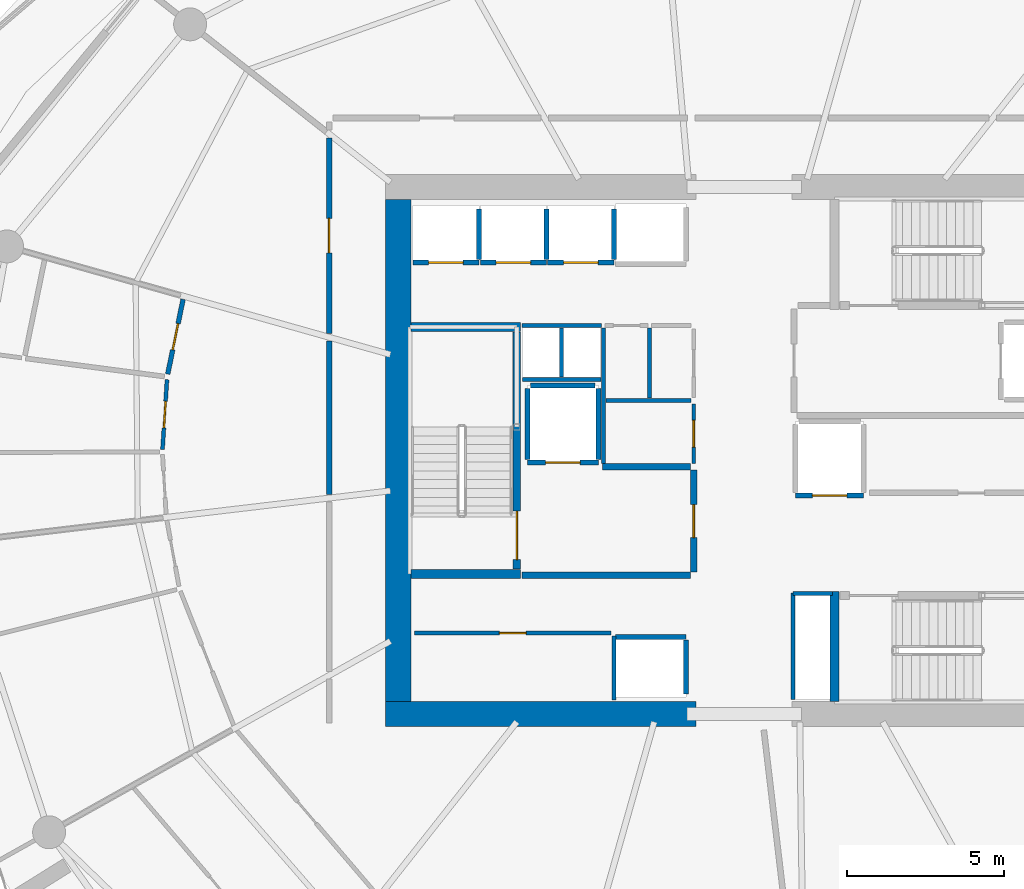
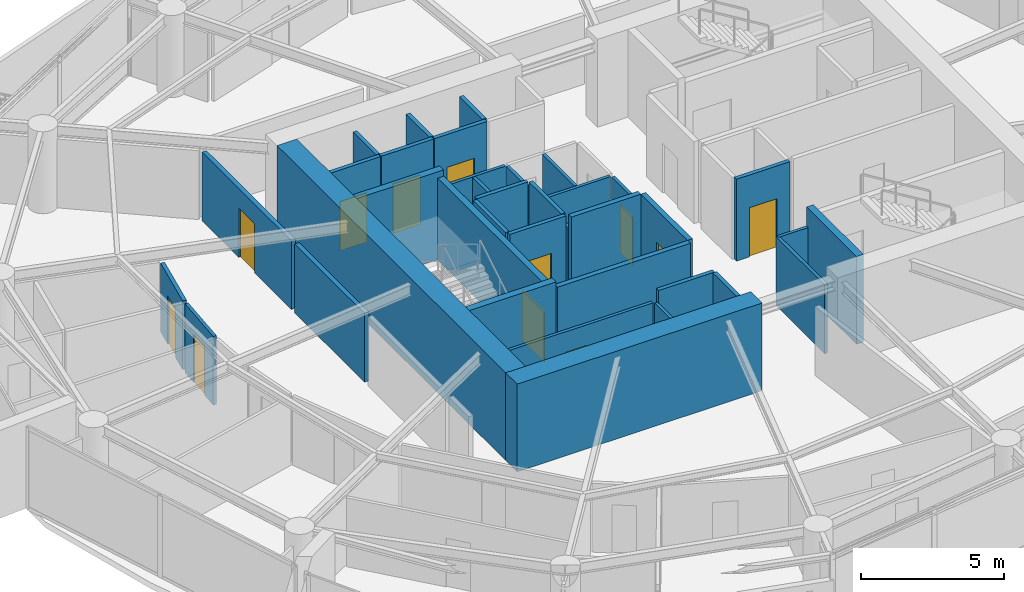
# One storey, part 12 of 20: 37 walls, 12 doors, 12 openings.
"""IFC4 building model written with IfcOpenShell, lengths in metres."""

import ifcopenshell
import ifcopenshell.guid

model = None  # the IFC model being written
_history = None  # IfcOwnerHistory: only IFC2X3 demands one
_inside = {}  # id of a spatial element -> (the spatial element, [elements in it])
_under = {}  # id of a project, library or spatial element -> (it, [spatial elements below it])
_declared = {}  # id of a project -> (the project, [libraries it declares])
_typed = {}  # id of a type object -> (the type object, [elements of that type])
_made_of = {}  # id of a material, layer set ... -> (it, [elements and type objects made of it])


def new_model(schema):
    """Start an empty IFC model of exactly this schema.

    Asked for "IFC4X3", IfcOpenShell would pick the latest addendum, in which some entities
    have other attributes; the version numbers below select the first issue.
    IFC2X3 requires an IfcOwnerHistory on every rooted entity: one is made here for all.
    """
    global model, _history
    if schema == "IFC4X3":
        model = ifcopenshell.file(schema_version=(4, 3, 0, 0))
    else:
        model = ifcopenshell.file(schema=schema)
    _inside.clear()
    _under.clear()
    _declared.clear()
    _typed.clear()
    _made_of.clear()
    _history = None
    if model.schema == "IFC2X3":
        org = make("IfcOrganization", Name="unknown")
        user = make(
            "IfcPersonAndOrganization",
            ThePerson=make("IfcPerson", FamilyName="unknown"),
            TheOrganization=org,
        )
        app = make(
            "IfcApplication",
            ApplicationDeveloper=org,
            Version="unknown",
            ApplicationFullName="unknown",
            ApplicationIdentifier="unknown",
        )
        _history = make(
            "IfcOwnerHistory",
            OwningUser=user,
            OwningApplication=app,
            ChangeAction="ADDED",
            CreationDate=0,
        )
    return model


def make(cls, **values):
    """One entity of the class cls with the attributes given. An attribute that is None is left unset."""
    return model.create_entity(
        cls, **{name: value for name, value in values.items() if value is not None}
    )


def rooted(cls, **values):
    """An entity with a GlobalId (a new one), such as an element, a storey or a relation."""
    return make(cls, GlobalId=ifcopenshell.guid.new(), OwnerHistory=_history, **values)


def si_unit(unit_type, name, prefix=None):
    """IfcSIUnit, for example si_unit("LENGTHUNIT", "METRE", prefix="MILLI")."""
    return make("IfcSIUnit", UnitType=unit_type, Prefix=prefix, Name=name)


def assignment(units):
    """IfcUnitAssignment: the units of a project."""
    return None if units is None else make("IfcUnitAssignment", Units=units)


def point(xyz):
    """IfcCartesianPoint."""
    return None if xyz is None else make("IfcCartesianPoint", Coordinates=xyz)


def direction(xyz):
    """IfcDirection."""
    return None if xyz is None else make("IfcDirection", DirectionRatios=xyz)


def frame(location, z_axis=None, x_axis=None):
    """IfcAxis2Placement3D, a coordinate frame: its origin and axes. An axis left out is left unset."""
    return make(
        "IfcAxis2Placement3D",
        Location=point(location),
        Axis=direction(z_axis),
        RefDirection=direction(x_axis),
    )


def frame_2d(location, x_axis=None):
    """IfcAxis2Placement2D, a coordinate frame in the plane: its origin and x axis."""
    return make(
        "IfcAxis2Placement2D", Location=point(location), RefDirection=direction(x_axis)
    )


def origin():
    """The frame at (0, 0, 0) with its axes left unset."""
    return frame((0.0, 0.0, 0.0))


def place(relative_to, where):
    """IfcLocalPlacement: puts the frame where relative to a parent placement (None: the world)."""
    return make(
        "IfcLocalPlacement", PlacementRelTo=relative_to, RelativePlacement=where
    )


def context(
    kind, dimensions, precision=None, world=None, true_north=None, identifier=None
):
    """IfcGeometricRepresentationContext, for example the 3D "Model" context."""
    return make(
        "IfcGeometricRepresentationContext",
        ContextIdentifier=identifier,
        ContextType=kind,
        CoordinateSpaceDimension=dimensions,
        Precision=precision,
        WorldCoordinateSystem=world,
        TrueNorth=true_north,
    )


def subcontext(parent, identifier, kind, view, scale=None):
    """IfcGeometricRepresentationSubContext, for example "Body" below "Model"."""
    return make(
        "IfcGeometricRepresentationSubContext",
        ContextIdentifier=identifier,
        ContextType=kind,
        ParentContext=parent,
        TargetScale=scale,
        TargetView=view,
    )


def project(units=None, contexts=None):
    """IfcProject with its units and contexts."""
    return rooted(
        "IfcProject",
        Name="project",
        RepresentationContexts=contexts,
        UnitsInContext=assignment(units),
    )


def spatial(cls, under=None, at=None, **own):
    """A site, building, storey or space (cls), placed at a placement, below another one or the project."""
    s = rooted(cls, ObjectPlacement=at, **own)
    if under is not None:
        _under.setdefault(under.id(), (under, []))[1].append(s)
    return s


def profile(cls, at=None, kind="AREA", **sizes):
    """A parametric profile (cls). Its sizes go by their IFC names, for example OverallWidth=200.0."""
    return make(cls, ProfileType=kind, Position=at, **sizes)


def rectangle(**sizes):
    """IfcRectangleProfileDef."""
    return profile("IfcRectangleProfileDef", **sizes)


def extrude(swept, where, along, depth):
    """IfcExtrudedAreaSolid: the profile swept, set in the frame where, extruded along a direction by depth."""
    return make(
        "IfcExtrudedAreaSolid",
        SweptArea=swept,
        Position=where,
        ExtrudedDirection=direction(along),
        Depth=depth,
    )


def shape(context_of_items, identifier, shape_type, items):
    """IfcShapeRepresentation: the items that make up one representation, for example the "Body"."""
    return make(
        "IfcShapeRepresentation",
        ContextOfItems=context_of_items,
        RepresentationIdentifier=identifier,
        RepresentationType=shape_type,
        Items=items,
    )


def material(Name=None, Category=None):
    """IfcMaterial."""
    return make("IfcMaterial", Name=Name, Category=Category)


def layer(
    of_material, thickness, ventilated=None, Name=None, Category=None, Priority=None
):
    """IfcMaterialLayer: one layer of a wall or slab, of a material (None: an air gap)."""
    return make(
        "IfcMaterialLayer",
        Material=of_material,
        LayerThickness=thickness,
        IsVentilated=ventilated,
        Name=Name,
        Category=Category,
        Priority=Priority,
    )


def layer_set(layers, Name=None):
    """IfcMaterialLayerSet."""
    return make("IfcMaterialLayerSet", MaterialLayers=layers, LayerSetName=Name)


def made_of(thing, what):
    """Note that an element or type object is made of a material, layer set ...; save() writes the relation."""
    if what is not None:
        _made_of.setdefault(what.id(), (what, []))[1].append(thing)
    return thing


def type_object(cls, material=None, **own):
    """A type object (cls), such as IfcWallType, which elements share."""
    return made_of(rooted(cls, **own), material)


def element(
    cls,
    number,
    at=None,
    inside=None,
    cuts=None,
    type_object=None,
    material=None,
    context=None,
    identifier="Body",
    shape_type=None,
    held_by="IfcProductDefinitionShape",
    body=None,
    shapes=None,
    **own,
):
    """One element of the class cls, such as IfcWall. Its Tag is "e" and its number.

    at: its placement. inside: the storey or other place that contains it. cuts: it is an
    opening in that element (IfcRelVoidsElement). A single representation is given by context,
    identifier, shape_type and body (its items); several are given by shapes. held_by: the class
    of the entity that holds the representations. save() writes the other relations.
    """
    e = rooted(cls, Tag="e%d" % number, ObjectPlacement=at, **own)
    if body is not None:
        shapes = [shape(context, identifier, shape_type, body)]
    if shapes is not None:
        e.Representation = make(held_by, Representations=shapes)
    if inside is not None:
        _inside.setdefault(inside.id(), (inside, []))[1].append(e)
    if cuts is not None:
        rooted(
            "IfcRelVoidsElement", RelatingBuildingElement=cuts, RelatedOpeningElement=e
        )
    if type_object is not None:
        _typed.setdefault(type_object.id(), (type_object, []))[1].append(e)
    return made_of(e, material)


def fill(opening, filler):
    """IfcRelFillsElement: the door or window that sits in an opening."""
    return rooted(
        "IfcRelFillsElement",
        RelatingOpeningElement=opening,
        RelatedBuildingElement=filler,
    )


def aggregate(whole, parts):
    """IfcRelAggregates: a whole, such as a stair, and the parts it consists of."""
    return rooted("IfcRelAggregates", RelatingObject=whole, RelatedObjects=parts)


def save(model, path):
    """Write the relations noted so far, then the file.

    IfcRelAggregates (storeys below a building ...), IfcRelContainedInSpatialStructure (elements
    in a storey), IfcRelDefinesByType, IfcRelAssociatesMaterial and IfcRelDeclares: one each for
    every whole, place, type object, material and project.
    """
    for whole, parts in _under.values():
        aggregate(whole, parts)
    for where, things in _inside.values():
        rooted(
            "IfcRelContainedInSpatialStructure",
            RelatedElements=things,
            RelatingStructure=where,
        )
    for kind, things in _typed.values():
        rooted("IfcRelDefinesByType", RelatedObjects=things, RelatingType=kind)
    for what, things in _made_of.values():
        rooted("IfcRelAssociatesMaterial", RelatedObjects=things, RelatingMaterial=what)
    for by, libraries in _declared.values():
        rooted("IfcRelDeclares", RelatingContext=by, RelatedDefinitions=libraries)
    model.write(path)


model = new_model("IFC4")

# Units and contexts
model_context = context("Model", 3, precision=1e-05, world=origin(), true_north=direction((0.0, 1.0)))
body_context = subcontext(model_context, "Body", "Model", "MODEL_VIEW")
ifc_project = project(units=[si_unit("LENGTHUNIT", "METRE"), si_unit("AREAUNIT", "SQUARE_METRE"), si_unit("VOLUMEUNIT", "CUBIC_METRE"), si_unit("PLANEANGLEUNIT", "RADIAN"), si_unit("MASSUNIT", "GRAM", prefix="KILO")], contexts=[model_context])

# Site, building, storey
site_placement = place(None, origin())
site = spatial("IfcSite", under=ifc_project, at=site_placement, CompositionType="ELEMENT")
building_placement = place(site_placement, origin())
building = spatial("IfcBuilding", under=site, at=building_placement, Name="Kazma Halo Residences", CompositionType="ELEMENT")
storey_placement = place(building_placement, frame((0.0, 0.0, 146.550048828125)))
storey = spatial("IfcBuildingStorey", under=building, at=storey_placement, Name="L36", CompositionType="ELEMENT", Elevation=146.550048828125)

# Walls
ifc_material_1 = material(Name="Concrete C80/95", Category="concrete")
ifc_layer_1 = layer(ifc_material_1, 0.800048828125)
ifc_layer_set_1 = layer_set([ifc_layer_1], Name="Concrete C80/95")
wall_type_1 = type_object("IfcWallType", Name="WL-CORE-800", PredefinedType="SHEAR", material=ifc_layer_set_1)
wall_1_placement = place(storey_placement, frame((37.0, 33.60009765625, 0.0), z_axis=(0.0, 0.0, 1.0), x_axis=(1.0, 0.0, 0.0)))
element("IfcWall", 1, at=wall_1_placement, inside=storey, type_object=wall_type_1, Name="L36 central core shear wall SW", PredefinedType="SHEAR", context=body_context, shape_type="SweptSolid", body=[
    extrude(rectangle(XDim=9.89990234375, YDim=0.800048828125, at=frame_2d((4.949951171875, 0.0))), origin(), (0.0, 0.0, 1.0), 3.75),
])
wall_2_placement = place(storey_placement, frame((37.39990234375, 34.0, 0.0), z_axis=(0.0, 0.0, 1.0), x_axis=(0.0, 1.0, 0.0)))
element("IfcWall", 2, at=wall_2_placement, inside=storey, type_object=wall_type_1, Name="L36 central core shear wall W", PredefinedType="SHEAR", context=body_context, shape_type="SweptSolid", body=[
    extrude(rectangle(XDim=16.0, YDim=0.800048828125, at=frame_2d((8.0, 0.0))), origin(), (0.0, 0.0, 1.0), 3.75),
])
ifc_material_2 = material(Name="Concrete C60/75", Category="concrete")
ifc_layer_2 = layer(ifc_material_2, 0.280029296875)
ifc_layer_set_2 = layer_set([ifc_layer_2], Name="Concrete C60/75")
wall_type_2 = type_object("IfcWallType", Name="WL-CORE-ST-280", PredefinedType="SHEAR", material=ifc_layer_set_2)
for number, where, z_axis, x_axis, name in (
    (3, (37.800048828125, 38.06005859375, 0.0), (0.0, 0.0, 1.0), (1.0, 0.0, 0.0), "L36 stairwell bearing wall ST01-S"),
    (4, (37.800048828125, 45.93994140625, 0.0), (0.0, 0.0, 1.0), (1.0, 0.0, 0.0), "L36 stairwell bearing wall ST01-N"),
    (5, (51.31005859375, 34.0, 0.0), (0.0, 0.0, 1.0), (0.0, 1.0, 0.0), "L36 stairwell bearing wall ST03-W"),
):
    element("IfcWall", number, at=place(storey_placement, frame(where, z_axis=z_axis, x_axis=x_axis)), inside=storey, type_object=wall_type_2, Name=name, PredefinedType="SHEAR", context=body_context, shape_type="SweptSolid", body=[
        extrude(rectangle(XDim=3.5, YDim=0.280029296875, at=frame_2d((1.75, 0.0))), origin(), (0.0, 0.0, 1.0), 3.75),
    ])

# Wall, opening, door
ifc_material_3 = material(Name="Acoustic Twin-Stud Gypsum")
ifc_layer_3 = layer(ifc_material_3, 0.179931640625)
ifc_layer_set_3 = layer_set([ifc_layer_3], Name="Acoustic Twin-Stud Gypsum")
wall_type_3 = type_object("IfcWallType", Name="WL-DEM-180", PredefinedType="PARTITIONING", material=ifc_layer_set_3)
wall_3_placement = place(storey_placement, frame((35.199951171875, 51.970703125, 0.0), z_axis=(0.0, 0.0, 1.0), x_axis=(0.0, -1.0, 0.0)))
wall_3 = element("IfcWall", 6, at=wall_3_placement, inside=storey, type_object=wall_type_3, Name="L36 Apartment 1 entrance corridor wall", PredefinedType="PARTITIONING", context=body_context, shape_type="SweptSolid", body=[
    extrude(rectangle(XDim=6.24072265625, YDim=0.179931640625, at=frame_2d((3.120361328125, 0.0))), origin(), (0.0, 0.0, 1.0), 2.93994140625),
])
opening_1_placement = place(wall_3_placement, frame((2.5703125, 0.0, 0.0)))
opening_1 = element("IfcOpeningElement", 7, at=opening_1_placement, cuts=wall_3, Name="Opening DA-1100", PredefinedType="OPENING", context=body_context, shape_type="SweptSolid", body=[
    extrude(rectangle(XDim=1.10009765625, YDim=2.10009765625, at=frame_2d((0.550048828125, 1.050048828125))), frame((0.0, 0.099853515625, 0.0), z_axis=(0.0, -1.0, 0.0), x_axis=(1.0, 0.0, 0.0)), (0.0, 0.0, 1.0), 0.199951171875),
])
ifc_material_4 = material(Name="Acoustic Walnut Fire Leaf")
door_type_1 = type_object("IfcDoorType", Name="DR-FD60-1100", OperationType="NOTDEFINED", PredefinedType="DOOR", material=ifc_material_4)
door_1_placement = place(opening_1_placement, origin())
door_1 = element("IfcDoor", 8, at=door_1_placement, inside=storey, type_object=door_type_1, Name="L36 Apartment 1 entrance fire door", OperationType="SINGLE_SWING_RIGHT", OverallHeight=2.10009765625, OverallWidth=1.10009765625, PredefinedType="DOOR", context=body_context, shape_type="SweptSolid", body=[
    extrude(rectangle(XDim=1.10009765625, YDim=2.10009765625, at=frame_2d((0.550048828125, 1.050048828125))), frame((0.0, 0.02490234375, 0.0), z_axis=(0.0, -1.0, 0.0), x_axis=(1.0, 0.0, 0.0)), (0.0, 0.0, 1.0), 0.050048828125),
])
fill(opening_1, door_1)

# Wall
wall_4_placement = place(storey_placement, frame((35.199951171875, 45.489990234375, 0.0), z_axis=(0.0, 0.0, 1.0), x_axis=(0.0, -1.0, 0.0)))
element("IfcWall", 9, at=wall_4_placement, inside=storey, type_object=wall_type_3, Name="L36 Apartment 1 inner wall 6", PredefinedType="PARTITIONING", context=body_context, shape_type="SweptSolid", body=[
    extrude(rectangle(XDim=4.885009765625, YDim=0.179931640625, at=frame_2d((2.4423828125, 0.0))), origin(), (0.0, 0.0, 1.0), 2.93994140625),
])

# Wall, opening, door
ifc_material_5 = material(Name="Fire-Rated Blockwork Masonry", Category="masonry")
ifc_layer_4 = layer(ifc_material_5, 0.199951171875)
ifc_layer_set_4 = layer_set([ifc_layer_4], Name="Fire-Rated Blockwork Masonry")
wall_type_4 = type_object("IfcWallType", Name="WL-FLB-200", PredefinedType="PARTITIONING", material=ifc_layer_set_4)
wall_5_placement = place(storey_placement, frame((39.97509765625, 47.9951171875, 0.0), z_axis=(0.0, 0.0, 1.0), x_axis=(-1.0, 0.0, 0.0)))
wall_5 = element("IfcWall", 10, at=wall_5_placement, inside=storey, type_object=wall_type_4, Name="L36 lift shaft PM-01 front wall", PredefinedType="PARTITIONING", context=body_context, shape_type="SweptSolid", body=[
    extrude(rectangle(XDim=2.110107421875, YDim=0.159912109375, at=frame_2d((1.05517578125, 0.0))), origin(), (0.0, 0.0, 1.0), 3.5),
])
opening_2_placement = place(wall_5_placement, frame((0.5048828125, 0.0, 0.0)))
opening_2 = element("IfcOpeningElement", 11, at=opening_2_placement, cuts=wall_5, Name="Opening LD-PM-01", PredefinedType="OPENING", context=body_context, shape_type="SweptSolid", body=[
    extrude(rectangle(XDim=1.10009765625, YDim=2.10009765625, at=frame_2d((0.550048828125, 1.050048828125))), frame((0.0, 0.08984375, 0.0), z_axis=(0.0, -1.0, 0.0), x_axis=(1.0, 0.0, 0.0)), (0.0, 0.0, 1.0), 0.179931640625),
])
ifc_material_6 = material(Name="Stainless Steel Fire-Rated", Category="steel")
door_type_2 = type_object("IfcDoorType", Name="DR-LIFT-SLD-1100", OperationType="DOUBLE_DOOR_SLIDING", PredefinedType="DOOR", material=ifc_material_6)
door_2_placement = place(opening_2_placement, origin())
door_2 = element("IfcDoor", 12, at=door_2_placement, inside=storey, type_object=door_type_2, Name="L36 lift PM-01 sliding landing door", OperationType="DOUBLE_DOOR_SLIDING", OverallHeight=2.10009765625, OverallWidth=1.10009765625, PredefinedType="DOOR", context=body_context, shape_type="SweptSolid", body=[
    extrude(rectangle(XDim=1.10009765625, YDim=2.10009765625, at=frame_2d((0.550048828125, 1.050048828125))), frame((0.0, 0.02490234375, 0.0), z_axis=(0.0, -1.0, 0.0), x_axis=(1.0, 0.0, 0.0)), (0.0, 0.0, 1.0), 0.050048828125),
])
fill(opening_2, door_2)

# Wall
wall_6_placement = place(storey_placement, frame((39.97509765625, 48.094970703125, 0.0), z_axis=(0.0, 0.0, 1.0), x_axis=(0.0, 1.0, 0.0)))
element("IfcWall", 13, at=wall_6_placement, inside=storey, type_object=wall_type_4, Name="L36 lift shaft PM-01 side wall E", PredefinedType="PARTITIONING", context=body_context, shape_type="SweptSolid", body=[
    extrude(rectangle(XDim=1.610107421875, YDim=0.159912109375, at=frame_2d((0.80517578125, 0.0))), origin(), (0.0, 0.0, 1.0), 3.5),
])

# Wall, opening, door
wall_7_placement = place(storey_placement, frame((42.125, 47.9951171875, 0.0), z_axis=(0.0, 0.0, 1.0), x_axis=(-1.0, 0.0, 0.0)))
wall_7 = element("IfcWall", 14, at=wall_7_placement, inside=storey, type_object=wall_type_4, Name="L36 lift shaft PM-02 front wall", PredefinedType="PARTITIONING", context=body_context, shape_type="SweptSolid", body=[
    extrude(rectangle(XDim=2.110107421875, YDim=0.159912109375, at=frame_2d((1.05517578125, 0.0))), origin(), (0.0, 0.0, 1.0), 3.5),
])
opening_3_placement = place(wall_7_placement, frame((0.5048828125, 0.0, 0.0)))
opening_3 = element("IfcOpeningElement", 15, at=opening_3_placement, cuts=wall_7, Name="Opening LD-PM-02", PredefinedType="OPENING", context=body_context, shape_type="SweptSolid", body=[
    extrude(rectangle(XDim=1.10009765625, YDim=2.10009765625, at=frame_2d((0.550048828125, 1.050048828125))), frame((0.0, 0.08984375, 0.0), z_axis=(0.0, -1.0, 0.0), x_axis=(1.0, 0.0, 0.0)), (0.0, 0.0, 1.0), 0.179931640625),
])
door_3_placement = place(opening_3_placement, origin())
door_3 = element("IfcDoor", 16, at=door_3_placement, inside=storey, type_object=door_type_2, Name="L36 lift PM-02 sliding landing door", OperationType="DOUBLE_DOOR_SLIDING", OverallHeight=2.10009765625, OverallWidth=1.10009765625, PredefinedType="DOOR", context=body_context, shape_type="SweptSolid", body=[
    extrude(rectangle(XDim=1.10009765625, YDim=2.10009765625, at=frame_2d((0.550048828125, 1.050048828125))), frame((0.0, 0.02490234375, 0.0), z_axis=(0.0, -1.0, 0.0), x_axis=(1.0, 0.0, 0.0)), (0.0, 0.0, 1.0), 0.050048828125),
])
fill(opening_3, door_3)

# Wall
wall_8_placement = place(storey_placement, frame((42.125, 48.094970703125, 0.0), z_axis=(0.0, 0.0, 1.0), x_axis=(0.0, 1.0, 0.0)))
element("IfcWall", 17, at=wall_8_placement, inside=storey, type_object=wall_type_4, Name="L36 lift shaft PM-02 side wall E", PredefinedType="PARTITIONING", context=body_context, shape_type="SweptSolid", body=[
    extrude(rectangle(XDim=1.610107421875, YDim=0.159912109375, at=frame_2d((0.80517578125, 0.0))), origin(), (0.0, 0.0, 1.0), 3.5),
])

# Wall, opening, door
wall_9_placement = place(storey_placement, frame((44.27490234375, 47.9951171875, 0.0), z_axis=(0.0, 0.0, 1.0), x_axis=(-1.0, 0.0, 0.0)))
wall_9 = element("IfcWall", 18, at=wall_9_placement, inside=storey, type_object=wall_type_4, Name="L36 lift shaft PM-03 front wall", PredefinedType="PARTITIONING", context=body_context, shape_type="SweptSolid", body=[
    extrude(rectangle(XDim=2.10986328125, YDim=0.159912109375, at=frame_2d((1.054931640625, 0.0))), origin(), (0.0, 0.0, 1.0), 3.5),
])
opening_4_placement = place(wall_9_placement, frame((0.5048828125, 0.0, 0.0)))
opening_4 = element("IfcOpeningElement", 19, at=opening_4_placement, cuts=wall_9, Name="Opening LD-PM-03", PredefinedType="OPENING", context=body_context, shape_type="SweptSolid", body=[
    extrude(rectangle(XDim=1.10009765625, YDim=2.10009765625, at=frame_2d((0.550048828125, 1.050048828125))), frame((0.0, 0.08984375, 0.0), z_axis=(0.0, -1.0, 0.0), x_axis=(1.0, 0.0, 0.0)), (0.0, 0.0, 1.0), 0.179931640625),
])
door_4_placement = place(opening_4_placement, origin())
door_4 = element("IfcDoor", 20, at=door_4_placement, inside=storey, type_object=door_type_2, Name="L36 lift PM-03 sliding landing door", OperationType="DOUBLE_DOOR_SLIDING", OverallHeight=2.10009765625, OverallWidth=1.10009765625, PredefinedType="DOOR", context=body_context, shape_type="SweptSolid", body=[
    extrude(rectangle(XDim=1.10009765625, YDim=2.10009765625, at=frame_2d((0.550048828125, 1.050048828125))), frame((0.0, 0.02490234375, 0.0), z_axis=(0.0, -1.0, 0.0), x_axis=(1.0, 0.0, 0.0)), (0.0, 0.0, 1.0), 0.050048828125),
])
fill(opening_4, door_4)

# Walls
wall_10_placement = place(storey_placement, frame((44.27490234375, 48.094970703125, 0.0), z_axis=(0.0, 0.0, 1.0), x_axis=(0.0, 1.0, 0.0)))
element("IfcWall", 21, at=wall_10_placement, inside=storey, type_object=wall_type_4, Name="L36 lift shaft PM-03 side wall E", PredefinedType="PARTITIONING", context=body_context, shape_type="SweptSolid", body=[
    extrude(rectangle(XDim=1.610107421875, YDim=0.159912109375, at=frame_2d((0.80517578125, 0.0))), origin(), (0.0, 0.0, 1.0), 3.5),
])
wall_11_placement = place(storey_placement, frame((44.320068359375, 36.054931640625, 0.0), z_axis=(0.0, 0.0, 1.0), x_axis=(1.0, 0.0, 0.0)))
element("IfcWall", 22, at=wall_11_placement, inside=storey, type_object=wall_type_4, Name="L36 lift shaft PX-02 front wall", PredefinedType="PARTITIONING", context=body_context, shape_type="SweptSolid", body=[
    extrude(rectangle(XDim=2.260009765625, YDim=0.159912109375, at=frame_2d((1.1298828125, 0.0))), origin(), (0.0, 0.0, 1.0), 3.5),
])
wall_12_placement = place(storey_placement, frame((46.580078125, 34.2451171875, 0.0), z_axis=(0.0, 0.0, 1.0), x_axis=(0.0, 1.0, 0.0)))
element("IfcWall", 23, at=wall_12_placement, inside=storey, type_object=wall_type_4, Name="L36 lift shaft PX-02 side wall E", PredefinedType="PARTITIONING", context=body_context, shape_type="SweptSolid", body=[
    extrude(rectangle(XDim=1.7099609375, YDim=0.159912109375, at=frame_2d((0.85498046875, 0.0))), origin(), (0.0, 0.0, 1.0), 3.5),
])

# Wall, opening, door
wall_13_placement = place(storey_placement, frame((43.780029296875, 41.6201171875, 0.0), z_axis=(0.0, 0.0, 1.0), x_axis=(-1.0, 0.0, 0.0)))
wall_13 = element("IfcWall", 24, at=wall_13_placement, inside=storey, type_object=wall_type_4, Name="L36 lift shaft FL-01 front wall", PredefinedType="PARTITIONING", context=body_context, shape_type="SweptSolid", body=[
    extrude(rectangle(XDim=2.260009765625, YDim=0.159912109375, at=frame_2d((1.1298828125, 0.0))), origin(), (0.0, 0.0, 1.0), 3.5),
])
opening_5_placement = place(wall_13_placement, frame((0.580078125, 0.0, 0.0)))
opening_5 = element("IfcOpeningElement", 25, at=opening_5_placement, cuts=wall_13, Name="Opening LD-FL-01", PredefinedType="OPENING", context=body_context, shape_type="SweptSolid", body=[
    extrude(rectangle(XDim=1.10009765625, YDim=2.10009765625, at=frame_2d((0.550048828125, 1.050048828125))), frame((0.0, 0.08984375, 0.0), z_axis=(0.0, -1.0, 0.0), x_axis=(1.0, 0.0, 0.0)), (0.0, 0.0, 1.0), 0.179931640625),
])
door_5_placement = place(opening_5_placement, origin())
door_5 = element("IfcDoor", 26, at=door_5_placement, inside=storey, type_object=door_type_2, Name="L36 lift FL-01 sliding landing door", OperationType="DOUBLE_DOOR_SLIDING", OverallHeight=2.10009765625, OverallWidth=1.10009765625, PredefinedType="DOOR", context=body_context, shape_type="SweptSolid", body=[
    extrude(rectangle(XDim=1.10009765625, YDim=2.10009765625, at=frame_2d((0.550048828125, 1.050048828125))), frame((0.0, 0.02490234375, 0.0), z_axis=(0.0, -1.0, 0.0), x_axis=(1.0, 0.0, 0.0)), (0.0, 0.0, 1.0), 0.050048828125),
])
fill(opening_5, door_5)

# Walls
for number, where, z_axis, x_axis, name in (
    (27, (43.780029296875, 41.719970703125, 0.0), (0.0, 0.0, 1.0), (0.0, 1.0, 0.0), "L36 lift shaft FL-01 side wall E"),
    (28, (41.52001953125, 41.719970703125, 0.0), (0.0, 0.0, 1.0), (0.0, 1.0, 0.0), "L36 lift shaft FL-01 side wall W"),
):
    element("IfcWall", number, at=place(storey_placement, frame(where, z_axis=z_axis, x_axis=x_axis)), inside=storey, type_object=wall_type_4, Name=name, PredefinedType="PARTITIONING", context=body_context, shape_type="SweptSolid", body=[
        extrude(rectangle(XDim=2.260009765625, YDim=0.159912109375, at=frame_2d((1.1298828125, 0.0))), origin(), (0.0, 0.0, 1.0), 3.5),
    ])
wall_14_placement = place(storey_placement, frame((41.6201171875, 44.080078125, 0.0), z_axis=(0.0, 0.0, 1.0), x_axis=(1.0, 0.0, 0.0)))
element("IfcWall", 29, at=wall_14_placement, inside=storey, type_object=wall_type_4, Name="L36 lift shaft FL-01 side wall N", PredefinedType="PARTITIONING", context=body_context, shape_type="SweptSolid", body=[
    extrude(rectangle(XDim=2.059814453125, YDim=0.159912109375, at=frame_2d((1.02978515625, 0.0))), origin(), (0.0, 0.0, 1.0), 3.5),
])

# Wall, opening, door
wall_15_placement = place(storey_placement, frame((52.22998046875, 40.570068359375, 0.0), z_axis=(0.0, 0.0, 1.0), x_axis=(-1.0, 0.0, 0.0)))
wall_15 = element("IfcWall", 30, at=wall_15_placement, inside=storey, type_object=wall_type_4, Name="L36 lift shaft SV-01 front wall", PredefinedType="PARTITIONING", context=body_context, shape_type="SweptSolid", body=[
    extrude(rectangle(XDim=2.159912109375, YDim=0.159912109375, at=frame_2d((1.080078125, 0.0))), origin(), (0.0, 0.0, 1.0), 3.5),
])
opening_6_placement = place(wall_15_placement, frame((0.530029296875, 0.0, 0.0)))
opening_6 = element("IfcOpeningElement", 31, at=opening_6_placement, cuts=wall_15, Name="Opening LD-SV-01", PredefinedType="OPENING", context=body_context, shape_type="SweptSolid", body=[
    extrude(rectangle(XDim=1.10009765625, YDim=2.10009765625, at=frame_2d((0.550048828125, 1.050048828125))), frame((0.0, 0.08984375, 0.0), z_axis=(0.0, -1.0, 0.0), x_axis=(1.0, 0.0, 0.0)), (0.0, 0.0, 1.0), 0.179931640625),
])
door_6_placement = place(opening_6_placement, origin())
door_6 = element("IfcDoor", 32, at=door_6_placement, inside=storey, type_object=door_type_2, Name="L36 lift SV-01 sliding landing door", OperationType="DOUBLE_DOOR_SLIDING", OverallHeight=2.10009765625, OverallWidth=1.10009765625, PredefinedType="DOOR", context=body_context, shape_type="SweptSolid", body=[
    extrude(rectangle(XDim=1.10009765625, YDim=2.10009765625, at=frame_2d((0.550048828125, 1.050048828125))), frame((0.0, 0.02490234375, 0.0), z_axis=(0.0, -1.0, 0.0), x_axis=(1.0, 0.0, 0.0)), (0.0, 0.0, 1.0), 0.050048828125),
])
fill(opening_6, door_6)

# Walls
wall_16_placement = place(storey_placement, frame((41.35009765625, 38.02001953125, 0.0), z_axis=(0.0, 0.0, 1.0), x_axis=(1.0, 0.0, 0.0)))
element("IfcWall", 33, at=wall_16_placement, inside=storey, type_object=wall_type_4, Name="L36 west firefighting lobby south smoke wall", PredefinedType="PARTITIONING", context=body_context, shape_type="SweptSolid", body=[
    extrude(rectangle(XDim=5.369873046875, YDim=0.199951171875, at=frame_2d((2.68505859375, 0.0))), origin(), (0.0, 0.0, 1.0), 3.5),
])
wall_17_placement = place(storey_placement, frame((43.919921875, 41.47998046875, 0.0), z_axis=(0.0, 0.0, 1.0), x_axis=(1.0, 0.0, 0.0)))
element("IfcWall", 34, at=wall_17_placement, inside=storey, type_object=wall_type_4, Name="L36 west firefighting lobby north smoke wall", PredefinedType="PARTITIONING", context=body_context, shape_type="SweptSolid", body=[
    extrude(rectangle(XDim=2.800048828125, YDim=0.199951171875, at=frame_2d((1.39990234375, 0.0))), origin(), (0.0, 0.0, 1.0), 3.5),
])

# Wall, opening, door
wall_18_placement = place(storey_placement, frame((46.820068359375, 38.1201171875, 0.0), z_axis=(0.0, 0.0, 1.0), x_axis=(0.0, 1.0, 0.0)))
wall_18 = element("IfcWall", 35, at=wall_18_placement, inside=storey, type_object=wall_type_4, Name="L36 west firefighting lobby smoke wall", PredefinedType="PARTITIONING", context=body_context, shape_type="SweptSolid", body=[
    extrude(rectangle(XDim=3.259765625, YDim=0.199951171875, at=frame_2d((1.6298828125, 0.0))), origin(), (0.0, 0.0, 1.0), 3.5),
])
opening_7_placement = place(wall_18_placement, frame((1.10498046875, 0.0, 0.0)))
opening_7 = element("IfcOpeningElement", 36, at=opening_7_placement, cuts=wall_18, Name="Opening D-FLW", PredefinedType="OPENING", context=body_context, shape_type="SweptSolid", body=[
    extrude(rectangle(XDim=1.050048828125, YDim=2.10009765625, at=frame_2d((0.52490234375, 1.050048828125))), frame((0.0, 0.10986328125, 0.0), z_axis=(0.0, -1.0, 0.0), x_axis=(1.0, 0.0, 0.0)), (0.0, 0.0, 1.0), 0.219970703125),
])
ifc_material_7 = material(Name="Fire-Rated Steel Leaf", Category="steel")
door_type_3 = type_object("IfcDoorType", Name="DR-FD90-1050", OperationType="NOTDEFINED", PredefinedType="DOOR", material=ifc_material_7)
door_7_placement = place(opening_7_placement, origin())
door_7 = element("IfcDoor", 37, at=door_7_placement, inside=storey, type_object=door_type_3, Name="L36 west firefighting lobby smoke door", OperationType="SINGLE_SWING_LEFT", OverallHeight=2.10009765625, OverallWidth=1.050048828125, PredefinedType="DOOR", context=body_context, shape_type="SweptSolid", body=[
    extrude(rectangle(XDim=1.050048828125, YDim=2.10009765625, at=frame_2d((0.52490234375, 1.050048828125))), frame((0.0, 0.02490234375, 0.0), z_axis=(0.0, -1.0, 0.0), x_axis=(1.0, 0.0, 0.0)), (0.0, 0.0, 1.0), 0.050048828125),
])
fill(opening_7, door_7)

# Wall
ifc_material_8 = material(Name="Gypsum Plasterboard Partition")
ifc_layer_5 = layer(ifc_material_8, 0.125)
ifc_layer_set_5 = layer_set([ifc_layer_5], Name="Gypsum Plasterboard Partition")
wall_type_5 = type_object("IfcWallType", Name="WL-PART-125", PredefinedType="PARTITIONING", material=ifc_layer_set_5)
wall_19_placement = place(storey_placement, frame((44.280029296875, 34.050048828125, 0.0), z_axis=(0.0, 0.0, 1.0), x_axis=(0.0, 1.0, 0.0)))
element("IfcWall", 38, at=wall_19_placement, inside=storey, type_object=wall_type_5, Name="L36 reclaimed south east wall", PredefinedType="PARTITIONING", context=body_context, shape_type="SweptSolid", body=[
    extrude(rectangle(XDim=2.030029296875, YDim=0.125, at=frame_2d((1.01513671875, 0.0))), origin(), (0.0, 0.0, 1.0), 2.93994140625),
])

# Wall, opening, door
wall_20_placement = place(storey_placement, frame((37.919921875, 36.179931640625, 0.0), z_axis=(0.0, 0.0, 1.0), x_axis=(1.0, 0.0, 0.0)))
wall_20 = element("IfcWall", 39, at=wall_20_placement, inside=storey, type_object=wall_type_5, Name="L36 reclaimed south front wall", PredefinedType="PARTITIONING", context=body_context, shape_type="SweptSolid", body=[
    extrude(rectangle(XDim=6.260009765625, YDim=0.125, at=frame_2d((3.1298828125, 0.0))), origin(), (0.0, 0.0, 1.0), 2.93994140625),
])
opening_8_placement = place(wall_20_placement, frame((2.705078125, 0.0, 0.0)))
opening_8 = element("IfcOpeningElement", 40, at=opening_8_placement, cuts=wall_20, Name="Opening DS-850", PredefinedType="OPENING", context=body_context, shape_type="SweptSolid", body=[
    extrude(rectangle(XDim=0.85009765625, YDim=2.06005859375, at=frame_2d((0.425048828125, 1.030029296875))), frame((0.0, 0.072509765625, 0.0), z_axis=(0.0, -1.0, 0.0), x_axis=(1.0, 0.0, 0.0)), (0.0, 0.0, 1.0), 0.14501953125),
])
ifc_material_9 = material(Name="Painted Steel Access Leaf", Category="steel")
door_type_4 = type_object("IfcDoorType", Name="DR-SVC-850", OperationType="NOTDEFINED", PredefinedType="DOOR", material=ifc_material_9)
door_8_placement = place(opening_8_placement, origin())
door_8 = element("IfcDoor", 41, at=door_8_placement, inside=storey, type_object=door_type_4, Name="L36 reclaimed south service door", OperationType="SINGLE_SWING_LEFT", OverallHeight=2.06005859375, OverallWidth=0.85009765625, PredefinedType="DOOR", context=body_context, shape_type="SweptSolid", body=[
    extrude(rectangle(XDim=0.85009765625, YDim=2.06005859375, at=frame_2d((0.425048828125, 1.030029296875))), frame((0.0, 0.02490234375, 0.0), z_axis=(0.0, -1.0, 0.0), x_axis=(1.0, 0.0, 0.0)), (0.0, 0.0, 1.0), 0.050048828125),
])
fill(opening_8, door_8)

# Walls
wall_21_placement = place(storey_placement, frame((41.360107421875, 44.260009765625, 0.0), z_axis=(0.0, 0.0, 1.0), x_axis=(1.0, 0.0, 0.0)))
element("IfcWall", 42, at=wall_21_placement, inside=storey, type_object=wall_type_5, Name="L36 core riser south wall", PredefinedType="PARTITIONING", context=body_context, shape_type="SweptSolid", body=[
    extrude(rectangle(XDim=2.5, YDim=0.125, at=frame_2d((1.25, 0.0))), origin(), (0.0, 0.0, 1.0), 2.93994140625),
])
wall_22_placement = place(storey_placement, frame((42.60009765625, 44.35009765625, 0.0), z_axis=(0.0, 0.0, 1.0), x_axis=(0.0, 1.0, 0.0)))
element("IfcWall", 43, at=wall_22_placement, inside=storey, type_object=wall_type_5, Name="L36 core riser divider wall", PredefinedType="PARTITIONING", context=body_context, shape_type="SweptSolid", body=[
    extrude(rectangle(XDim=1.5498046875, YDim=0.125, at=frame_2d((0.77490234375, 0.0))), origin(), (0.0, 0.0, 1.0), 2.93994140625),
])
wall_23_placement = place(storey_placement, frame((49.97998046875, 34.06005859375, 0.0), z_axis=(0.0, 0.0, 1.0), x_axis=(0.0, 1.0, 0.0)))
element("IfcWall", 44, at=wall_23_placement, inside=storey, type_object=wall_type_5, Name="L36 standpipe riser wall", PredefinedType="PARTITIONING", context=body_context, shape_type="SweptSolid", body=[
    extrude(rectangle(XDim=3.39990234375, YDim=0.125, at=frame_2d((1.699951171875, 0.0))), origin(), (0.0, 0.0, 1.0), 2.93994140625),
])
wall_24_placement = place(storey_placement, frame((49.97998046875, 37.43994140625, 0.0), z_axis=(0.0, 0.0, 1.0), x_axis=(1.0, 0.0, 0.0)))
element("IfcWall", 45, at=wall_24_placement, inside=storey, type_object=wall_type_5, Name="L36 standpipe riser north wall", PredefinedType="PARTITIONING", context=body_context, shape_type="SweptSolid", body=[
    extrude(rectangle(XDim=1.260009765625, YDim=0.125, at=frame_2d((0.6298828125, 0.0))), origin(), (0.0, 0.0, 1.0), 2.93994140625),
])
wall_25_placement = place(storey_placement, frame((43.949951171875, 41.580078125, 0.0), z_axis=(0.0, 0.0, 1.0), x_axis=(0.0, 1.0, 0.0)))
element("IfcWall", 46, at=wall_25_placement, inside=storey, type_object=wall_type_5, Name="L36 core service west wall", PredefinedType="PARTITIONING", context=body_context, shape_type="SweptSolid", body=[
    extrude(rectangle(XDim=4.31982421875, YDim=0.125, at=frame_2d((2.159912109375, 0.0))), origin(), (0.0, 0.0, 1.0), 2.93994140625),
])
wall_26_placement = place(storey_placement, frame((44.030029296875, 43.590087890625, 0.0), z_axis=(0.0, 0.0, 1.0), x_axis=(1.0, 0.0, 0.0)))
element("IfcWall", 47, at=wall_26_placement, inside=storey, type_object=wall_type_5, Name="L36 core service horiz divider", PredefinedType="PARTITIONING", context=body_context, shape_type="SweptSolid", body=[
    extrude(rectangle(XDim=2.7099609375, YDim=0.125, at=frame_2d((1.35498046875, 0.0))), origin(), (0.0, 0.0, 1.0), 2.93994140625),
])
wall_27_placement = place(storey_placement, frame((45.409912109375, 43.669921875, 0.0), z_axis=(0.0, 0.0, 1.0), x_axis=(0.0, 1.0, 0.0)))
element("IfcWall", 48, at=wall_27_placement, inside=storey, type_object=wall_type_5, Name="L36 core service vert divider", PredefinedType="PARTITIONING", context=body_context, shape_type="SweptSolid", body=[
    extrude(rectangle(XDim=2.22998046875, YDim=0.125, at=frame_2d((1.114990234375, 0.0))), origin(), (0.0, 0.0, 1.0), 2.93994140625),
])

# Wall, opening, door
wall_28_placement = place(storey_placement, frame((46.820068359375, 41.580078125, 0.0), z_axis=(0.0, 0.0, 1.0), x_axis=(0.0, 1.0, 0.0)))
wall_28 = element("IfcWall", 49, at=wall_28_placement, inside=storey, type_object=wall_type_5, Name="L36 refuse room east wall", PredefinedType="PARTITIONING", context=body_context, shape_type="SweptSolid", body=[
    extrude(rectangle(XDim=1.909912109375, YDim=0.125, at=frame_2d((0.955078125, 0.0))), origin(), (0.0, 0.0, 1.0), 2.93994140625),
])
opening_9_placement = place(wall_28_placement, frame((0.530029296875, 0.0, 0.0)))
opening_9 = element("IfcOpeningElement", 50, at=opening_9_placement, cuts=wall_28, Name="Opening DS-850", PredefinedType="OPENING", context=body_context, shape_type="SweptSolid", body=[
    extrude(rectangle(XDim=0.85009765625, YDim=2.06005859375, at=frame_2d((0.425048828125, 1.030029296875))), frame((0.0, 0.072509765625, 0.0), z_axis=(0.0, -1.0, 0.0), x_axis=(1.0, 0.0, 0.0)), (0.0, 0.0, 1.0), 0.14501953125),
])
door_9_placement = place(opening_9_placement, origin())
door_9 = element("IfcDoor", 51, at=door_9_placement, inside=storey, type_object=door_type_4, Name="L36 refuse room door", OperationType="SINGLE_SWING_LEFT", OverallHeight=2.06005859375, OverallWidth=0.85009765625, PredefinedType="DOOR", context=body_context, shape_type="SweptSolid", body=[
    extrude(rectangle(XDim=0.85009765625, YDim=2.06005859375, at=frame_2d((0.425048828125, 1.030029296875))), frame((0.0, 0.02490234375, 0.0), z_axis=(0.0, -1.0, 0.0), x_axis=(1.0, 0.0, 0.0)), (0.0, 0.0, 1.0), 0.050048828125),
])
fill(opening_9, door_9)

# Wall
wall_29_placement = place(storey_placement, frame((41.35009765625, 45.97998046875, 0.0), z_axis=(0.0, 0.0, 1.0), x_axis=(1.0, 0.0, 0.0)))
element("IfcWall", 52, at=wall_29_placement, inside=storey, type_object=wall_type_5, Name="L36 core riser NW wall", PredefinedType="PARTITIONING", context=body_context, shape_type="SweptSolid", body=[
    extrude(rectangle(XDim=2.52978515625, YDim=0.125, at=frame_2d((1.264892578125, 0.0))), origin(), (0.0, 0.0, 1.0), 2.93994140625),
])

# Wall, opening, door
wall_30_placement = place(storey_placement, frame((30.0283203125, 44.2587890625, 0.0), z_axis=(0.0, 0.0, 1.0), x_axis=(-0.063707112834, -0.997968638673, 0.0)))
wall_30 = element("IfcWall", 53, at=wall_30_placement, inside=storey, type_object=wall_type_5, Name="L36 Apartment 1 Gourmet Kitchen hall wall", PredefinedType="PARTITIONING", context=body_context, shape_type="SweptSolid", body=[
    extrude(rectangle(XDim=2.23046875, YDim=0.125, at=frame_2d((1.115234375, 0.0))), origin(), (0.0, 0.0, 1.0), 2.93994140625),
])
opening_10_placement = place(wall_30_placement, frame((0.690185546875, 0.0, 0.0)))
opening_10 = element("IfcOpeningElement", 54, at=opening_10_placement, cuts=wall_30, Name="Opening DB-900", PredefinedType="OPENING", context=body_context, shape_type="SweptSolid", body=[
    extrude(rectangle(XDim=0.85009765625, YDim=2.06005859375, at=frame_2d((0.425048828125, 1.030029296875))), frame((0.0, 0.072509765625, 0.0), z_axis=(0.0, -1.0, 0.0), x_axis=(1.0, 0.0, 0.0)), (0.0, 0.0, 1.0), 0.14501953125),
])
ifc_material_10 = material(Name="Moisture-Sealed Timber Leaf", Category="wood")
door_type_5 = type_object("IfcDoorType", Name="DR-BTH-900", OperationType="NOTDEFINED", PredefinedType="DOOR", material=ifc_material_10)
door_10_placement = place(opening_10_placement, origin())
door_10 = element("IfcDoor", 55, at=door_10_placement, inside=storey, type_object=door_type_5, Name="L36 Apartment 1 Gourmet Kitchen door", OperationType="SINGLE_SWING_LEFT", OverallHeight=2.06005859375, OverallWidth=0.85009765625, PredefinedType="DOOR", context=body_context, shape_type="SweptSolid", body=[
    extrude(rectangle(XDim=0.85009765625, YDim=2.06005859375, at=frame_2d((0.425048828125, 1.030029296875))), frame((0.0, 0.02490234375, 0.0), z_axis=(0.0, -1.0, 0.0), x_axis=(1.0, 0.0, 0.0)), (0.0, 0.0, 1.0), 0.050048828125),
])
fill(opening_10, door_10)

ifc_material_11 = material(Name="Concrete C50/60", Category="concrete")
ifc_layer_6 = layer(ifc_material_11, 0.25)
ifc_layer_set_6 = layer_set([ifc_layer_6], Name="Concrete C50/60")
wall_type_6 = type_object("IfcWallType", Name="WL-SHF-250", PredefinedType="SOLIDWALL", material=ifc_layer_set_6)
wall_31_placement = place(storey_placement, frame((41.179931640625, 38.219970703125, 0.0), z_axis=(0.0, 0.0, 1.0), x_axis=(0.0, 1.0, 0.0)))
wall_31 = element("IfcWall", 56, at=wall_31_placement, inside=storey, type_object=wall_type_6, Name="L36 exit stair ST-01 enclosure wall", PredefinedType="SOLIDWALL", context=body_context, shape_type="SweptSolid", body=[
    extrude(rectangle(XDim=7.56005859375, YDim=0.25, at=frame_2d((3.780029296875, 0.0))), origin(), (0.0, 0.0, 1.0), 3.5),
])
opening_11_placement = place(wall_31_placement, frame((0.300048828125, 0.0, 0.0)))
opening_11 = element("IfcOpeningElement", 57, at=opening_11_placement, cuts=wall_31, Name="Opening D-ST1", PredefinedType="OPENING", context=body_context, shape_type="SweptSolid", body=[
    extrude(rectangle(XDim=1.550048828125, YDim=2.14990234375, at=frame_2d((0.77490234375, 1.074951171875))), frame((0.0, 0.135009765625, 0.0), z_axis=(0.0, -1.0, 0.0), x_axis=(1.0, 0.0, 0.0)), (0.0, 0.0, 1.0), 0.27001953125),
])
ifc_material_12 = material(Name="Fire-Rated Double Steel Leaf", Category="steel")
door_type_6 = type_object("IfcDoorType", Name="DR-FD90-1550", OperationType="NOTDEFINED", PredefinedType="DOOR", material=ifc_material_12)
door_11_placement = place(opening_11_placement, origin())
door_11 = element("IfcDoor", 58, at=door_11_placement, inside=storey, type_object=door_type_6, Name="L36 exit stair ST-01 fire door", OperationType="DOUBLE_DOOR_SINGLE_SWING", OverallHeight=2.14990234375, OverallWidth=1.550048828125, PredefinedType="DOOR", context=body_context, shape_type="SweptSolid", body=[
    extrude(rectangle(XDim=1.550048828125, YDim=2.14990234375, at=frame_2d((0.77490234375, 1.074951171875))), frame((0.0, 0.02490234375, 0.0), z_axis=(0.0, -1.0, 0.0), x_axis=(1.0, 0.0, 0.0)), (0.0, 0.0, 1.0), 0.050048828125),
])
fill(opening_11, door_11)

ifc_material_13 = material(Name="Moisture-Resistant Gypsum")
ifc_layer_7 = layer(ifc_material_13, 0.14990234375)
ifc_layer_set_7 = layer_set([ifc_layer_7], Name="Moisture-Resistant Gypsum")
wall_type_7 = type_object("IfcWallType", Name="WL-WET-150", PredefinedType="PARTITIONING", material=ifc_layer_set_7)
wall_32_placement = place(storey_placement, frame((30.541259765625, 46.8203125, 0.0), z_axis=(0.0, 0.0, 1.0), x_axis=(-0.201072520907, -0.979576358094, 0.0)))
wall_32 = element("IfcWall", 59, at=wall_32_placement, inside=storey, type_object=wall_type_7, Name="L36 Apartment 1 Guest Bathroom hall wall", PredefinedType="PARTITIONING", context=body_context, shape_type="SweptSolid", body=[
    extrude(rectangle(XDim=2.433349609375, YDim=0.14990234375, at=frame_2d((1.216796875, 0.0))), origin(), (0.0, 0.0, 1.0), 2.93994140625),
])
opening_12_placement = place(wall_32_placement, frame((0.79150390625, 0.0, 0.0)))
opening_12 = element("IfcOpeningElement", 60, at=opening_12_placement, cuts=wall_32, Name="Opening DB-900", PredefinedType="OPENING", context=body_context, shape_type="SweptSolid", body=[
    extrude(rectangle(XDim=0.85009765625, YDim=2.06005859375, at=frame_2d((0.425048828125, 1.030029296875))), frame((0.0, 0.0849609375, 0.0), z_axis=(0.0, -1.0, 0.0), x_axis=(1.0, 0.0, 0.0)), (0.0, 0.0, 1.0), 0.169921875),
])
door_12_placement = place(opening_12_placement, origin())
door_12 = element("IfcDoor", 61, at=door_12_placement, inside=storey, type_object=door_type_5, Name="L36 Apartment 1 Guest Bathroom door", OperationType="SINGLE_SWING_LEFT", OverallHeight=2.06005859375, OverallWidth=0.85009765625, PredefinedType="DOOR", context=body_context, shape_type="SweptSolid", body=[
    extrude(rectangle(XDim=0.85009765625, YDim=2.06005859375, at=frame_2d((0.425048828125, 1.030029296875))), frame((0.0, 0.02490234375, 0.0), z_axis=(0.0, -1.0, 0.0), x_axis=(1.0, 0.0, 0.0)), (0.0, 0.0, 1.0), 0.050048828125),
])
fill(opening_12, door_12)

save(model, "model.ifc")
